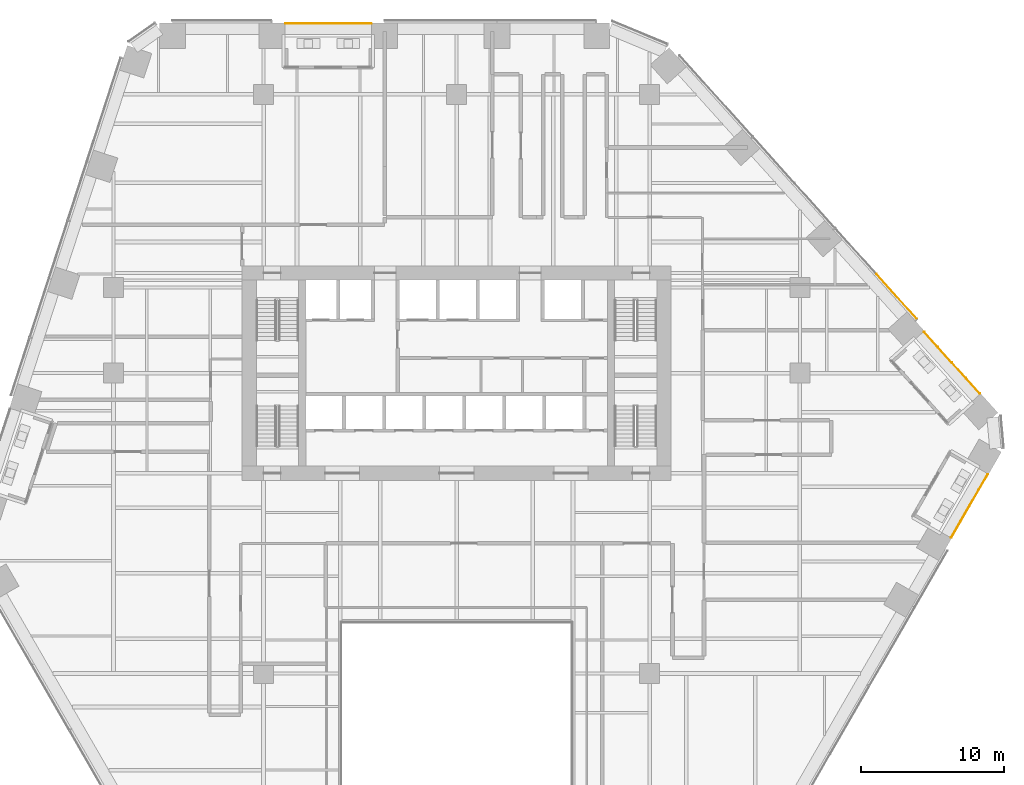
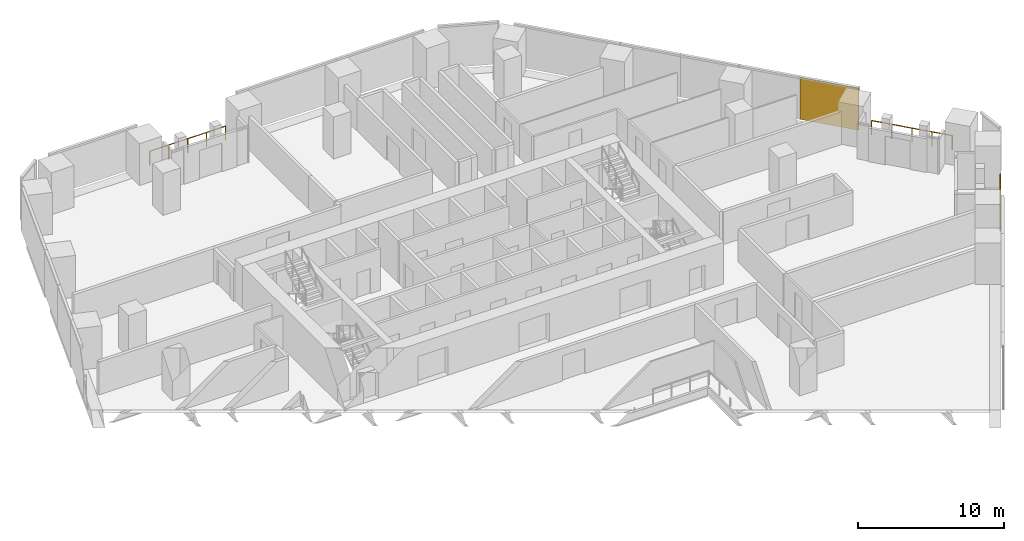
# One storey, part 30 of 31: 3 railings, 1 covering, 1 element without a shape of its own.
"""IFC4 building model written with IfcOpenShell, lengths in metres."""

import ifcopenshell
import ifcopenshell.guid

model = None  # the IFC model being written
_history = None  # IfcOwnerHistory: only IFC2X3 demands one
_inside = {}  # id of a spatial element -> (the spatial element, [elements in it])
_under = {}  # id of a project, library or spatial element -> (it, [spatial elements below it])
_declared = {}  # id of a project -> (the project, [libraries it declares])
_typed = {}  # id of a type object -> (the type object, [elements of that type])
_made_of = {}  # id of a material, layer set ... -> (it, [elements and type objects made of it])


def new_model(schema):
    """Start an empty IFC model of exactly this schema.

    Asked for "IFC4X3", IfcOpenShell would pick the latest addendum, in which some entities
    have other attributes; the version numbers below select the first issue.
    IFC2X3 requires an IfcOwnerHistory on every rooted entity: one is made here for all.
    """
    global model, _history
    if schema == "IFC4X3":
        model = ifcopenshell.file(schema_version=(4, 3, 0, 0))
    else:
        model = ifcopenshell.file(schema=schema)
    _inside.clear()
    _under.clear()
    _declared.clear()
    _typed.clear()
    _made_of.clear()
    _history = None
    if model.schema == "IFC2X3":
        org = make("IfcOrganization", Name="unknown")
        user = make(
            "IfcPersonAndOrganization",
            ThePerson=make("IfcPerson", FamilyName="unknown"),
            TheOrganization=org,
        )
        app = make(
            "IfcApplication",
            ApplicationDeveloper=org,
            Version="unknown",
            ApplicationFullName="unknown",
            ApplicationIdentifier="unknown",
        )
        _history = make(
            "IfcOwnerHistory",
            OwningUser=user,
            OwningApplication=app,
            ChangeAction="ADDED",
            CreationDate=0,
        )
    return model


def make(cls, **values):
    """One entity of the class cls with the attributes given. An attribute that is None is left unset."""
    return model.create_entity(
        cls, **{name: value for name, value in values.items() if value is not None}
    )


def rooted(cls, **values):
    """An entity with a GlobalId (a new one), such as an element, a storey or a relation."""
    return make(cls, GlobalId=ifcopenshell.guid.new(), OwnerHistory=_history, **values)


def si_unit(unit_type, name, prefix=None):
    """IfcSIUnit, for example si_unit("LENGTHUNIT", "METRE", prefix="MILLI")."""
    return make("IfcSIUnit", UnitType=unit_type, Prefix=prefix, Name=name)


def assignment(units):
    """IfcUnitAssignment: the units of a project."""
    return None if units is None else make("IfcUnitAssignment", Units=units)


def point(xyz):
    """IfcCartesianPoint."""
    return None if xyz is None else make("IfcCartesianPoint", Coordinates=xyz)


def direction(xyz):
    """IfcDirection."""
    return None if xyz is None else make("IfcDirection", DirectionRatios=xyz)


def frame(location, z_axis=None, x_axis=None):
    """IfcAxis2Placement3D, a coordinate frame: its origin and axes. An axis left out is left unset."""
    return make(
        "IfcAxis2Placement3D",
        Location=point(location),
        Axis=direction(z_axis),
        RefDirection=direction(x_axis),
    )


def frame_2d(location, x_axis=None):
    """IfcAxis2Placement2D, a coordinate frame in the plane: its origin and x axis."""
    return make(
        "IfcAxis2Placement2D", Location=point(location), RefDirection=direction(x_axis)
    )


def origin():
    """The frame at (0, 0, 0) with its axes left unset."""
    return frame((0.0, 0.0, 0.0))


def origin_2d():
    """The frame at (0, 0) in the plane with its x axis left unset."""
    return frame_2d((0.0, 0.0))


def place(relative_to, where):
    """IfcLocalPlacement: puts the frame where relative to a parent placement (None: the world)."""
    return make(
        "IfcLocalPlacement", PlacementRelTo=relative_to, RelativePlacement=where
    )


def context(
    kind, dimensions, precision=None, world=None, true_north=None, identifier=None
):
    """IfcGeometricRepresentationContext, for example the 3D "Model" context."""
    return make(
        "IfcGeometricRepresentationContext",
        ContextIdentifier=identifier,
        ContextType=kind,
        CoordinateSpaceDimension=dimensions,
        Precision=precision,
        WorldCoordinateSystem=world,
        TrueNorth=true_north,
    )


def subcontext(parent, identifier, kind, view, scale=None):
    """IfcGeometricRepresentationSubContext, for example "Body" below "Model"."""
    return make(
        "IfcGeometricRepresentationSubContext",
        ContextIdentifier=identifier,
        ContextType=kind,
        ParentContext=parent,
        TargetScale=scale,
        TargetView=view,
    )


def project(units=None, contexts=None):
    """IfcProject with its units and contexts."""
    return rooted(
        "IfcProject",
        Name="project",
        RepresentationContexts=contexts,
        UnitsInContext=assignment(units),
    )


def spatial(cls, under=None, at=None, **own):
    """A site, building, storey or space (cls), placed at a placement, below another one or the project."""
    s = rooted(cls, ObjectPlacement=at, **own)
    if under is not None:
        _under.setdefault(under.id(), (under, []))[1].append(s)
    return s


def profile(cls, at=None, kind="AREA", **sizes):
    """A parametric profile (cls). Its sizes go by their IFC names, for example OverallWidth=200.0."""
    return make(cls, ProfileType=kind, Position=at, **sizes)


def rectangle(**sizes):
    """IfcRectangleProfileDef."""
    return profile("IfcRectangleProfileDef", **sizes)


def circle(**sizes):
    """IfcCircleProfileDef."""
    return profile("IfcCircleProfileDef", **sizes)


def extrude(swept, where, along, depth):
    """IfcExtrudedAreaSolid: the profile swept, set in the frame where, extruded along a direction by depth."""
    return make(
        "IfcExtrudedAreaSolid",
        SweptArea=swept,
        Position=where,
        ExtrudedDirection=direction(along),
        Depth=depth,
    )


def shape(context_of_items, identifier, shape_type, items):
    """IfcShapeRepresentation: the items that make up one representation, for example the "Body"."""
    return make(
        "IfcShapeRepresentation",
        ContextOfItems=context_of_items,
        RepresentationIdentifier=identifier,
        RepresentationType=shape_type,
        Items=items,
    )


def material(Name=None, Category=None):
    """IfcMaterial."""
    return make("IfcMaterial", Name=Name, Category=Category)


def layer(
    of_material, thickness, ventilated=None, Name=None, Category=None, Priority=None
):
    """IfcMaterialLayer: one layer of a wall or slab, of a material (None: an air gap)."""
    return make(
        "IfcMaterialLayer",
        Material=of_material,
        LayerThickness=thickness,
        IsVentilated=ventilated,
        Name=Name,
        Category=Category,
        Priority=Priority,
    )


def layer_set(layers, Name=None):
    """IfcMaterialLayerSet."""
    return make("IfcMaterialLayerSet", MaterialLayers=layers, LayerSetName=Name)


def made_of(thing, what):
    """Note that an element or type object is made of a material, layer set ...; save() writes the relation."""
    if what is not None:
        _made_of.setdefault(what.id(), (what, []))[1].append(thing)
    return thing


def type_object(cls, material=None, **own):
    """A type object (cls), such as IfcWallType, which elements share."""
    return made_of(rooted(cls, **own), material)


def element(
    cls,
    number,
    at=None,
    inside=None,
    cuts=None,
    type_object=None,
    material=None,
    context=None,
    identifier="Body",
    shape_type=None,
    held_by="IfcProductDefinitionShape",
    body=None,
    shapes=None,
    **own,
):
    """One element of the class cls, such as IfcWall. Its Tag is "e" and its number.

    at: its placement. inside: the storey or other place that contains it. cuts: it is an
    opening in that element (IfcRelVoidsElement). A single representation is given by context,
    identifier, shape_type and body (its items); several are given by shapes. held_by: the class
    of the entity that holds the representations. save() writes the other relations.
    """
    e = rooted(cls, Tag="e%d" % number, ObjectPlacement=at, **own)
    if body is not None:
        shapes = [shape(context, identifier, shape_type, body)]
    if shapes is not None:
        e.Representation = make(held_by, Representations=shapes)
    if inside is not None:
        _inside.setdefault(inside.id(), (inside, []))[1].append(e)
    if cuts is not None:
        rooted(
            "IfcRelVoidsElement", RelatingBuildingElement=cuts, RelatedOpeningElement=e
        )
    if type_object is not None:
        _typed.setdefault(type_object.id(), (type_object, []))[1].append(e)
    return made_of(e, material)


def aggregate(whole, parts):
    """IfcRelAggregates: a whole, such as a stair, and the parts it consists of."""
    return rooted("IfcRelAggregates", RelatingObject=whole, RelatedObjects=parts)


def save(model, path):
    """Write the relations noted so far, then the file.

    IfcRelAggregates (storeys below a building ...), IfcRelContainedInSpatialStructure (elements
    in a storey), IfcRelDefinesByType, IfcRelAssociatesMaterial and IfcRelDeclares: one each for
    every whole, place, type object, material and project.
    """
    for whole, parts in _under.values():
        aggregate(whole, parts)
    for where, things in _inside.values():
        rooted(
            "IfcRelContainedInSpatialStructure",
            RelatedElements=things,
            RelatingStructure=where,
        )
    for kind, things in _typed.values():
        rooted("IfcRelDefinesByType", RelatedObjects=things, RelatingType=kind)
    for what, things in _made_of.values():
        rooted("IfcRelAssociatesMaterial", RelatedObjects=things, RelatingMaterial=what)
    for by, libraries in _declared.values():
        rooted("IfcRelDeclares", RelatingContext=by, RelatedDefinitions=libraries)
    model.write(path)


model = new_model("IFC4")

# Units and contexts
model_context = context("Model", 3, precision=1e-05, world=origin(), true_north=direction((0.0, 1.0)))
body_context = subcontext(model_context, "Body", "Model", "MODEL_VIEW")
ifc_project = project(units=[si_unit("LENGTHUNIT", "METRE"), si_unit("AREAUNIT", "SQUARE_METRE"), si_unit("VOLUMEUNIT", "CUBIC_METRE"), si_unit("PLANEANGLEUNIT", "RADIAN"), si_unit("MASSUNIT", "GRAM", prefix="KILO")], contexts=[model_context])

# Site, building, storey
site_placement = place(None, origin())
site = spatial("IfcSite", under=ifc_project, at=site_placement, CompositionType="ELEMENT")
building_placement = place(site_placement, origin())
building = spatial("IfcBuilding", under=site, at=building_placement, Name="Isthmus Gate Tower", CompositionType="ELEMENT")
storey_placement = place(building_placement, frame((0.0, 0.0, 54.25)))
storey = spatial("IfcBuildingStorey", under=building, at=storey_placement, Name="L11", CompositionType="ELEMENT", Elevation=54.25)

# Curtain wall, covering
ifc_material_1 = material(Name="Aluminium, pale champagne anodised", Category="aluminium")
ifc_layer_1 = layer(ifc_material_1, 0.199951171875)
ifc_layer_set_1 = layer_set([ifc_layer_1], Name="CW-1 UNITISED CURTAIN WALL 200 DEEP")
curtain_wall_type = type_object("IfcCurtainWallType", Name="CW-1 UNITISED CURTAIN WALL 200 DEEP", PredefinedType="NOTDEFINED", material=ifc_layer_set_1)
curtain_wall_placement = place(storey_placement, origin())
curtain_wall = element("IfcCurtainWall", 1, at=curtain_wall_placement, inside=storey, type_object=curtain_wall_type, Name="CW-1 NE L11", PredefinedType="NOTDEFINED")
ifc_material_2 = material(Name="Aluminium composite panel, pale champagne anodised", Category="aluminium")
ifc_layer_2 = layer(ifc_material_2, 0.0400390625)
ifc_layer_set_2 = layer_set([ifc_layer_2], Name="CW-1 PALE METAL PANEL 40")
covering_type = type_object("IfcCoveringType", Name="CW-1 PALE METAL PANEL 40", PredefinedType="CLADDING", material=ifc_layer_set_2)
covering_placement = place(storey_placement, frame((30.7841796875, 12.85791015625, 0.0), z_axis=(0.0, 0.0, 1.0), x_axis=(-0.669130606359, 0.743144825477, 0.0)))
covering = element("IfcCovering", 2, at=covering_placement, type_object=covering_type, Name="CW-1 pale metal panel", PredefinedType="CLADDING", context=body_context, shape_type="SweptSolid", body=[
    extrude(rectangle(XDim=4.234619140625, YDim=0.0400390625, at=origin_2d()), origin(), (0.0, 0.0, 1.0), 3.5),
])
aggregate(curtain_wall, [covering])

# Railings
ifc_material_3 = material(Name="Toughened laminated glass with stainless steel posts", Category="steel")
railing_type = type_object("IfcRailingType", Name="GUARD 1200 FRAMELESS GLASS", PredefinedType="GUARDRAIL", material=ifc_material_3)
railing_1_placement = place(storey_placement, frame((-5.977294921875, 31.949951171875, 0.0)))
element("IfcRailing", 3, at=railing_1_placement, inside=storey, type_object=railing_type, Name="LOGGIA GUARD", PredefinedType="GUARDRAIL", context=body_context, shape_type="SweptSolid", body=[
    extrude(circle(Radius=0.02490234375, at=origin_2d()), frame((0.0, 0.0, 1.1748046875), z_axis=(-1.0, 0.0, 0.0), x_axis=(0.0, -1.0, 0.0)), (0.0, 0.0, 1.0), 5.989501953125),
    extrude(circle(Radius=0.02490234375, at=origin_2d()), origin(), (0.0, 0.0, 1.0), 1.14990234375),
    extrude(circle(Radius=0.02490234375, at=origin_2d()), frame((-1.497314453125, 0.0, 0.0)), (0.0, 0.0, 1.0), 1.14990234375),
    extrude(circle(Radius=0.02490234375, at=origin_2d()), frame((-2.99462890625, 0.0, 0.0)), (0.0, 0.0, 1.0), 1.14990234375),
    extrude(circle(Radius=0.02490234375, at=origin_2d()), frame((-4.4921875, 0.0, 0.0)), (0.0, 0.0, 1.0), 1.14990234375),
    extrude(circle(Radius=0.02490234375, at=origin_2d()), frame((-5.989501953125, 0.0, 0.0)), (0.0, 0.0, 1.0), 1.14990234375),
])
railing_2_placement = place(storey_placement, frame((34.5927734375, -3.9833984375, 0.0)))
element("IfcRailing", 4, at=railing_2_placement, inside=storey, type_object=railing_type, Name="LOGGIA GUARD", PredefinedType="GUARDRAIL", context=body_context, shape_type="SweptSolid", body=[
    extrude(circle(Radius=0.02490234375, at=origin_2d()), frame((0.0, 0.0, 1.1748046875), z_axis=(0.500018644096, 0.866014639343, 0.0), x_axis=(-0.866014639343, 0.500018644096, 0.0)), (0.0, 0.0, 1.0), 5.089599609375),
    extrude(circle(Radius=0.02490234375, at=origin_2d()), origin(), (0.0, 0.0, 1.0), 1.14990234375),
    extrude(circle(Radius=0.02490234375, at=origin_2d()), frame((0.63623046875, 1.10205078125, 0.0)), (0.0, 0.0, 1.0), 1.14990234375),
    extrude(circle(Radius=0.02490234375, at=origin_2d()), frame((1.2724609375, 2.203857421875, 0.0)), (0.0, 0.0, 1.0), 1.14990234375),
    extrude(circle(Radius=0.02490234375, at=origin_2d()), frame((1.90869140625, 3.3056640625, 0.0)), (0.0, 0.0, 1.0), 1.14990234375),
    extrude(circle(Radius=0.02490234375, at=origin_2d()), frame((2.544921875, 4.40771484375, 0.0)), (0.0, 0.0, 1.0), 1.14990234375),
])
railing_3_placement = place(storey_placement, frame((36.58642578125, 6.0703125, 0.0)))
element("IfcRailing", 5, at=railing_3_placement, inside=storey, type_object=railing_type, Name="LOGGIA GUARD", PredefinedType="GUARDRAIL", context=body_context, shape_type="SweptSolid", body=[
    extrude(circle(Radius=0.02490234375, at=origin_2d()), frame((0.0, 0.0, 1.1748046875), z_axis=(-0.669134210404, 0.743141580365, 0.0), x_axis=(-0.743141580365, -0.669134210404, 0.0)), (0.0, 0.0, 1.0), 5.809326171875),
    extrude(circle(Radius=0.02490234375, at=origin_2d()), origin(), (0.0, 0.0, 1.0), 1.14990234375),
    extrude(circle(Radius=0.02490234375, at=origin_2d()), frame((-0.9716796875, 1.079345703125, 0.0)), (0.0, 0.0, 1.0), 1.14990234375),
    extrude(circle(Radius=0.02490234375, at=origin_2d()), frame((-1.943603515625, 2.15869140625, 0.0)), (0.0, 0.0, 1.0), 1.14990234375),
    extrude(circle(Radius=0.02490234375, at=origin_2d()), frame((-2.91552734375, 3.23779296875, 0.0)), (0.0, 0.0, 1.0), 1.14990234375),
    extrude(circle(Radius=0.02490234375, at=origin_2d()), frame((-3.88720703125, 4.317138671875, 0.0)), (0.0, 0.0, 1.0), 1.14990234375),
])

save(model, "model.ifc")
